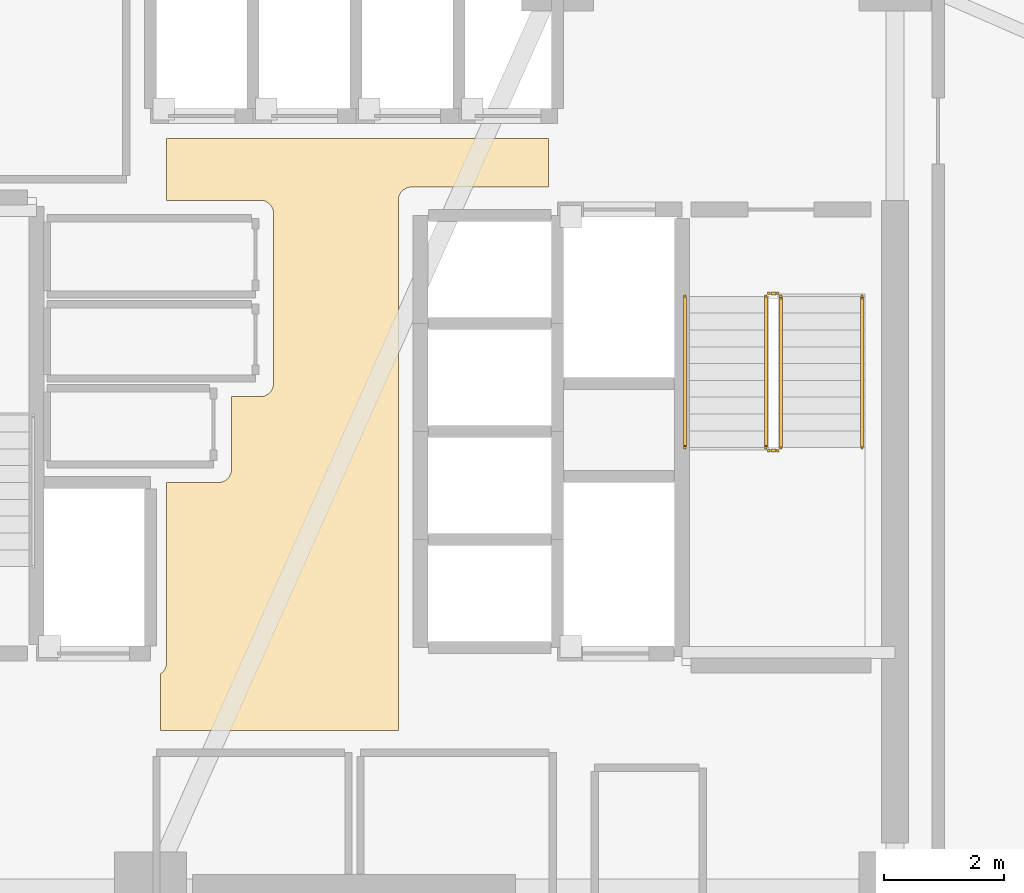
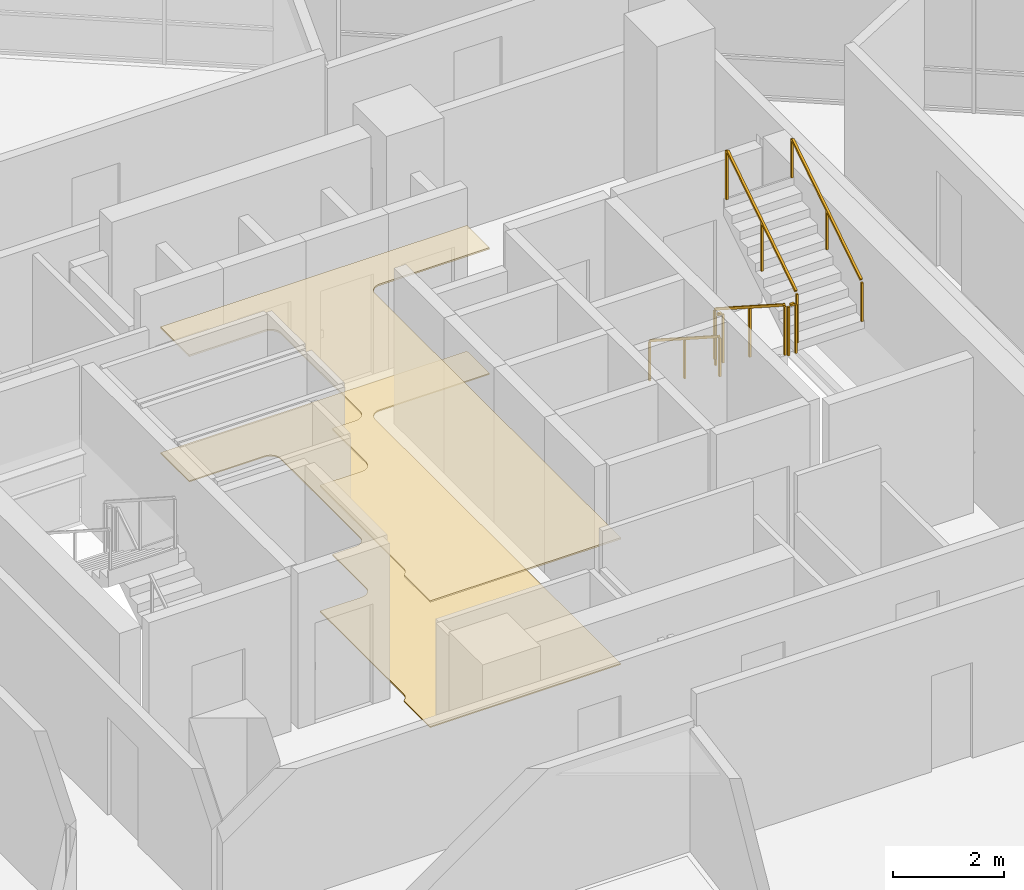
# One storey, part 18 of 19: 6 railings, 2 coverings.
"""IFC4 building model written with IfcOpenShell, lengths in metres."""

from ifc_helpers import new_model, si_unit, direction, frame, origin, origin_2d, place, context, subcontext, project, spatial, polyline, rectangle, outline, extrude, material, layer, layer_set, type_object, element, save


model = new_model("IFC4")

# Units and contexts
model_context = context("Model", 3, precision=1e-05, world=origin(), true_north=direction((0.0, 1.0)))
body_context = subcontext(model_context, "Body", "Model", "MODEL_VIEW")
ifc_project = project(units=[si_unit("LENGTHUNIT", "METRE"), si_unit("AREAUNIT", "SQUARE_METRE"), si_unit("VOLUMEUNIT", "CUBIC_METRE"), si_unit("PLANEANGLEUNIT", "RADIAN"), si_unit("MASSUNIT", "GRAM", prefix="KILO")], contexts=[model_context])

# Site, building, storey
site_placement = place(None, origin())
site = spatial("IfcSite", under=ifc_project, at=site_placement, CompositionType="ELEMENT")
building_placement = place(site_placement, origin())
building = spatial("IfcBuilding", under=site, at=building_placement, Name="Tharavind Bronze Gate", CompositionType="ELEMENT")
storey_placement = place(building_placement, frame((0.0, 0.0, 126.85009765625)))
storey = spatial("IfcBuildingStorey", under=building, at=storey_placement, Name="L32", CompositionType="ELEMENT", Elevation=126.85009765625)

# Coverings
ifc_material_1 = material(Name="Perforated Bronze Acoustic Panel", Category="bronze")
ifc_layer_1 = layer(ifc_material_1, 0.044921875)
ifc_layer_set_1 = layer_set([ifc_layer_1], Name="Perforated Bronze Acoustic Panel")
covering_type_1 = type_object("IfcCoveringType", Name="ACOUSTIC BRONZE BAFFLE CEILING", PredefinedType="CEILING", material=ifc_layer_set_1)
covering_1_placement = place(storey_placement, frame((0.0, 0.0, 2.75)))
element("IfcCovering", 1, at=covering_1_placement, inside=storey, type_object=covering_type_1, Name="L32-C-LL suspended ceiling", PredefinedType="CEILING", context=body_context, shape_type="SweptSolid", body=[
    extrude(outline(polyline([(-3.330078125, -4.97998046875), (0.6298828125, -4.97998046875), (0.6298828125, 3.85009765625), (0.631103515625, 3.87158203125), (0.63427734375, 3.892822265625), (0.639404296875, 3.913818359375), (0.646728515625, 3.93408203125), (0.656005859375, 3.95361328125), (0.6669921875, 3.97216796875), (0.679931640625, 3.989501953125), (0.6943359375, 4.005615234375), (0.71044921875, 4.02001953125), (0.727783203125, 4.032958984375), (0.746337890625, 4.0439453125), (0.765869140625, 4.05322265625), (0.7861328125, 4.060546875), (0.80712890625, 4.06591796875), (0.828369140625, 4.06884765625), (0.85009765625, 4.070068359375), (3.1298828125, 4.070068359375), (3.1298828125, 4.8798828125), (-3.22998046875, 4.8798828125), (-3.22998046875, 3.85009765625), (-1.669921875, 3.85009765625), (-1.6484375, 3.848876953125), (-1.627197265625, 3.845703125), (-1.606201171875, 3.840576171875), (-1.585693359375, 3.833251953125), (-1.56640625, 3.823974609375), (-1.5478515625, 3.81298828125), (-1.530517578125, 3.800048828125), (-1.514404296875, 3.78564453125), (-1.5, 3.76953125), (-1.487060546875, 3.752197265625), (-1.47607421875, 3.733642578125), (-1.466796875, 3.714111328125), (-1.45947265625, 3.69384765625), (-1.4541015625, 3.6728515625), (-1.451171875, 3.651611328125), (-1.449951171875, 3.6298828125), (-1.449951171875, 0.800048828125), (-1.451171875, 0.7783203125), (-1.4541015625, 0.757080078125), (-1.45947265625, 0.736083984375), (-1.466796875, 0.7158203125), (-1.47607421875, 0.6962890625), (-1.487060546875, 0.677734375), (-1.5, 0.660400390625), (-1.514404296875, 0.644287109375), (-1.530517578125, 0.6298828125), (-1.5478515625, 0.6171875), (-1.56640625, 0.60595703125), (-1.585693359375, 0.5966796875), (-1.606201171875, 0.589599609375), (-1.627197265625, 0.584228515625), (-1.6484375, 0.5810546875), (-1.669921875, 0.580078125), (-2.14990234375, 0.580078125), (-2.14990234375, -0.6298828125), (-2.151123046875, -0.651611328125), (-2.154296875, -0.6728515625), (-2.159423828125, -0.69384765625), (-2.166748046875, -0.714111328125), (-2.176025390625, -0.733642578125), (-2.18701171875, -0.752197265625), (-2.199951171875, -0.76953125), (-2.21435546875, -0.78564453125), (-2.23046875, -0.800048828125), (-2.247802734375, -0.81298828125), (-2.266357421875, -0.823974609375), (-2.285888671875, -0.833251953125), (-2.30615234375, -0.840576171875), (-2.3271484375, -0.845703125), (-2.348388671875, -0.848876953125), (-2.3701171875, -0.85009765625), (-3.22998046875, -0.85009765625), (-3.22998046875, -3.85009765625), (-3.231201171875, -3.87158203125), (-3.234130859375, -3.892822265625), (-3.239501953125, -3.913818359375), (-3.24658203125, -3.93408203125), (-3.256103515625, -3.95361328125), (-3.26708984375, -3.97216796875), (-3.27978515625, -3.989501953125), (-3.29443359375, -4.005615234375), (-3.310302734375, -4.02001953125), (-3.327880859375, -4.032958984375), (-3.330078125, -4.0341796875), (-3.330078125, -4.97998046875)])), origin(), (0.0, 0.0, 1.0), 0.034912109375),
])
ifc_material_2 = material(Name="Honed Travertine Limestone", Category="masonry")
ifc_layer_2 = layer(ifc_material_2, 0.030029296875)
ifc_layer_set_2 = layer_set([ifc_layer_2], Name="Honed Travertine Limestone")
covering_type_2 = type_object("IfcCoveringType", Name="HONED LIMESTONE FLOORING", PredefinedType="FLOORING", material=ifc_layer_set_2)
covering_2_placement = place(storey_placement, origin())
element("IfcCovering", 2, at=covering_2_placement, inside=storey, type_object=covering_type_2, Name="L32-C-LL floor finish", PredefinedType="FLOORING", context=body_context, shape_type="SweptSolid", body=[
    extrude(outline(polyline([(-3.330078125, -4.97998046875), (0.6298828125, -4.97998046875), (0.6298828125, 3.85009765625), (0.631103515625, 3.87158203125), (0.63427734375, 3.892822265625), (0.639404296875, 3.913818359375), (0.646728515625, 3.93408203125), (0.656005859375, 3.95361328125), (0.6669921875, 3.97216796875), (0.679931640625, 3.989501953125), (0.6943359375, 4.005615234375), (0.71044921875, 4.02001953125), (0.727783203125, 4.032958984375), (0.746337890625, 4.0439453125), (0.765869140625, 4.05322265625), (0.7861328125, 4.060546875), (0.80712890625, 4.06591796875), (0.828369140625, 4.06884765625), (0.85009765625, 4.070068359375), (3.1298828125, 4.070068359375), (3.1298828125, 4.8798828125), (-3.22998046875, 4.8798828125), (-3.22998046875, 3.85009765625), (-1.669921875, 3.85009765625), (-1.6484375, 3.848876953125), (-1.627197265625, 3.845703125), (-1.606201171875, 3.840576171875), (-1.585693359375, 3.833251953125), (-1.56640625, 3.823974609375), (-1.5478515625, 3.81298828125), (-1.530517578125, 3.800048828125), (-1.514404296875, 3.78564453125), (-1.5, 3.76953125), (-1.487060546875, 3.752197265625), (-1.47607421875, 3.733642578125), (-1.466796875, 3.714111328125), (-1.45947265625, 3.69384765625), (-1.4541015625, 3.6728515625), (-1.451171875, 3.651611328125), (-1.449951171875, 3.6298828125), (-1.449951171875, 0.800048828125), (-1.451171875, 0.7783203125), (-1.4541015625, 0.757080078125), (-1.45947265625, 0.736083984375), (-1.466796875, 0.7158203125), (-1.47607421875, 0.6962890625), (-1.487060546875, 0.677734375), (-1.5, 0.660400390625), (-1.514404296875, 0.644287109375), (-1.530517578125, 0.6298828125), (-1.5478515625, 0.6171875), (-1.56640625, 0.60595703125), (-1.585693359375, 0.5966796875), (-1.606201171875, 0.589599609375), (-1.627197265625, 0.584228515625), (-1.6484375, 0.5810546875), (-1.669921875, 0.580078125), (-2.14990234375, 0.580078125), (-2.14990234375, -0.6298828125), (-2.151123046875, -0.651611328125), (-2.154296875, -0.6728515625), (-2.159423828125, -0.69384765625), (-2.166748046875, -0.714111328125), (-2.176025390625, -0.733642578125), (-2.18701171875, -0.752197265625), (-2.199951171875, -0.76953125), (-2.21435546875, -0.78564453125), (-2.23046875, -0.800048828125), (-2.247802734375, -0.81298828125), (-2.266357421875, -0.823974609375), (-2.285888671875, -0.833251953125), (-2.30615234375, -0.840576171875), (-2.3271484375, -0.845703125), (-2.348388671875, -0.848876953125), (-2.3701171875, -0.85009765625), (-3.22998046875, -0.85009765625), (-3.22998046875, -3.85009765625), (-3.231201171875, -3.87158203125), (-3.234130859375, -3.892822265625), (-3.239501953125, -3.913818359375), (-3.24658203125, -3.93408203125), (-3.256103515625, -3.95361328125), (-3.26708984375, -3.97216796875), (-3.27978515625, -3.989501953125), (-3.29443359375, -4.005615234375), (-3.310302734375, -4.02001953125), (-3.327880859375, -4.032958984375), (-3.330078125, -4.0341796875), (-3.330078125, -4.97998046875)])), origin(), (0.0, 0.0, 1.0), 0.02490234375),
])

# Railings
ifc_material_3 = material(Name="Brushed Bronze Alloy", Category="metal")
railing_type_1 = type_object("IfcRailingType", Name="STAIR BRONZE HANDRAIL 900", PredefinedType="HANDRAIL", material=ifc_material_3)
railing_1_placement = place(storey_placement, frame((5.39990234375, 2.25, 0.179931640625)))
element("IfcRailing", 3, at=railing_1_placement, inside=storey, type_object=railing_type_1, Name="L32 ST2 stair handrail 1", PredefinedType="HANDRAIL", context=body_context, shape_type="SweptSolid", body=[
    extrude(rectangle(XDim=0.048095703125, YDim=0.048095703125, at=origin_2d()), frame((0.0, -0.02685546875, 0.89306640625), z_axis=(0.0, -0.841199657755, 0.540724639528), x_axis=(1.0, 0.0, 0.0)), (0.0, 0.0, 1.0), 2.931640625),
    extrude(rectangle(XDim=0.0400390625, YDim=0.0400390625, at=origin_2d()), origin(), (0.0, 0.0, 1.0), 0.847900390625),
    extrude(rectangle(XDim=0.0400390625, YDim=0.0400390625, at=origin_2d()), frame((0.0, -1.260009765625, 0.81005859375)), (0.0, 0.0, 1.0), 0.847900390625),
    extrude(rectangle(XDim=0.0400390625, YDim=0.0400390625, at=origin_2d()), frame((0.0, -2.52001953125, 1.619873046875)), (0.0, 0.0, 1.0), 0.847900390625),
])
railing_2_placement = place(storey_placement, frame((8.35009765625, -0.27001953125, 1.97998046875)))
element("IfcRailing", 4, at=railing_2_placement, inside=storey, type_object=railing_type_1, Name="L32 ST2 stair handrail 2", PredefinedType="HANDRAIL", context=body_context, shape_type="SweptSolid", body=[
    extrude(rectangle(XDim=0.048095703125, YDim=0.048095703125, at=origin_2d()), frame((0.0, 0.02685546875, 0.89306640625), z_axis=(0.0, 0.841199657755, 0.540724639528), x_axis=(-1.0, 0.0, 0.0)), (0.0, 0.0, 1.0), 2.931640625),
    extrude(rectangle(XDim=0.0400390625, YDim=0.0400390625, at=origin_2d()), origin(), (0.0, 0.0, 1.0), 0.847900390625),
    extrude(rectangle(XDim=0.0400390625, YDim=0.0400390625, at=origin_2d()), frame((0.0, 1.260009765625, 0.81005859375)), (0.0, 0.0, 1.0), 0.847900390625),
    extrude(rectangle(XDim=0.0400390625, YDim=0.0400390625, at=origin_2d()), frame((0.0, 2.52001953125, 1.619873046875)), (0.0, 0.0, 1.0), 0.847900390625),
])
railing_type_2 = type_object("IfcRailingType", Name="STAIR WELL GUARD RAILING 1120", PredefinedType="GUARDRAIL", material=ifc_material_3)
railing_3_placement = place(storey_placement, frame((6.75, 2.25, 0.179931640625)))
element("IfcRailing", 5, at=railing_3_placement, inside=storey, type_object=railing_type_2, Name="L32 ST2 stair guard 1", PredefinedType="GUARDRAIL", context=body_context, shape_type="SweptSolid", body=[
    extrude(rectangle(XDim=0.048095703125, YDim=0.048095703125, at=origin_2d()), frame((0.0, -0.02685546875, 1.11328125), z_axis=(0.0, -0.841199657755, 0.540724639528), x_axis=(1.0, 0.0, 0.0)), (0.0, 0.0, 1.0), 2.931640625),
    extrude(rectangle(XDim=0.0400390625, YDim=0.0400390625, at=origin_2d()), origin(), (0.0, 0.0, 1.0), 1.068115234375),
    extrude(rectangle(XDim=0.0400390625, YDim=0.0400390625, at=origin_2d()), frame((0.0, -1.260009765625, 0.81005859375)), (0.0, 0.0, 1.0), 1.068115234375),
    extrude(rectangle(XDim=0.0400390625, YDim=0.0400390625, at=origin_2d()), frame((0.0, -2.52001953125, 1.619873046875)), (0.0, 0.0, 1.0), 1.068115234375),
])
railing_4_placement = place(storey_placement, frame((6.800048828125, -0.320068359375, 1.7998046875)))
element("IfcRailing", 6, at=railing_4_placement, inside=storey, type_object=railing_type_2, Name="L32 ST2 stair guard 2", PredefinedType="GUARDRAIL", context=body_context, shape_type="SweptSolid", body=[
    extrude(rectangle(XDim=0.048095703125, YDim=0.048095703125, at=origin_2d()), frame((0.031982421875, 0.0, 1.09619140625), z_axis=(1.0, 0.0, 0.0), x_axis=(0.0, 1.0, 0.0)), (0.0, 0.0, 1.0), 0.0859375),
    extrude(rectangle(XDim=0.0400390625, YDim=0.0400390625, at=origin_2d()), origin(), (0.0, 0.0, 1.0), 1.068115234375),
    extrude(rectangle(XDim=0.0400390625, YDim=0.0400390625, at=origin_2d()), frame((0.14990234375, 0.0, 0.0)), (0.0, 0.0, 1.0), 1.068115234375),
])
railing_5_placement = place(storey_placement, frame((7.0, -0.27001953125, 1.97998046875)))
element("IfcRailing", 7, at=railing_5_placement, inside=storey, type_object=railing_type_2, Name="L32 ST2 stair guard 3", PredefinedType="GUARDRAIL", context=body_context, shape_type="SweptSolid", body=[
    extrude(rectangle(XDim=0.048095703125, YDim=0.048095703125, at=origin_2d()), frame((0.0, 0.02685546875, 1.11328125), z_axis=(0.0, 0.841199657755, 0.540724639528), x_axis=(-1.0, 0.0, 0.0)), (0.0, 0.0, 1.0), 2.931640625),
    extrude(rectangle(XDim=0.0400390625, YDim=0.0400390625, at=origin_2d()), origin(), (0.0, 0.0, 1.0), 1.068115234375),
    extrude(rectangle(XDim=0.0400390625, YDim=0.0400390625, at=origin_2d()), frame((0.0, 1.260009765625, 0.81005859375)), (0.0, 0.0, 1.0), 1.068115234375),
    extrude(rectangle(XDim=0.0400390625, YDim=0.0400390625, at=origin_2d()), frame((0.0, 2.52001953125, 1.619873046875)), (0.0, 0.0, 1.0), 1.068115234375),
])
railing_6_placement = place(storey_placement, frame((6.800048828125, 2.300048828125, 0.0)))
element("IfcRailing", 8, at=railing_6_placement, inside=storey, type_object=railing_type_2, Name="L32 ST2 stair guard 4", PredefinedType="GUARDRAIL", context=body_context, shape_type="SweptSolid", body=[
    extrude(rectangle(XDim=0.048095703125, YDim=0.048095703125, at=origin_2d()), frame((0.031982421875, 0.0, 1.09619140625), z_axis=(1.0, 0.0, 0.0), x_axis=(0.0, 1.0, 0.0)), (0.0, 0.0, 1.0), 0.0859375),
    extrude(rectangle(XDim=0.0400390625, YDim=0.0400390625, at=origin_2d()), origin(), (0.0, 0.0, 1.0), 1.068115234375),
    extrude(rectangle(XDim=0.0400390625, YDim=0.0400390625, at=origin_2d()), frame((0.14990234375, 0.0, 0.0)), (0.0, 0.0, 1.0), 1.068115234375),
])

save(model, "model.ifc")
